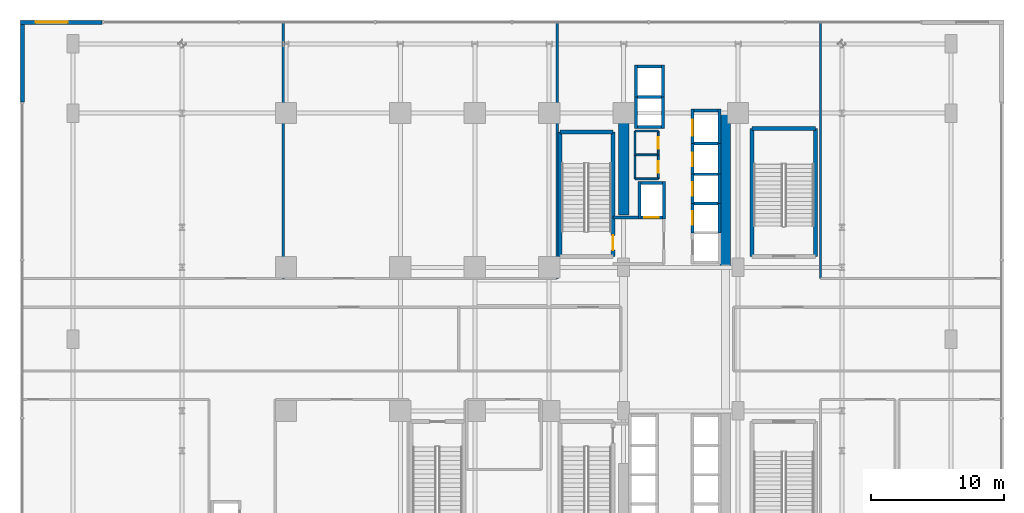
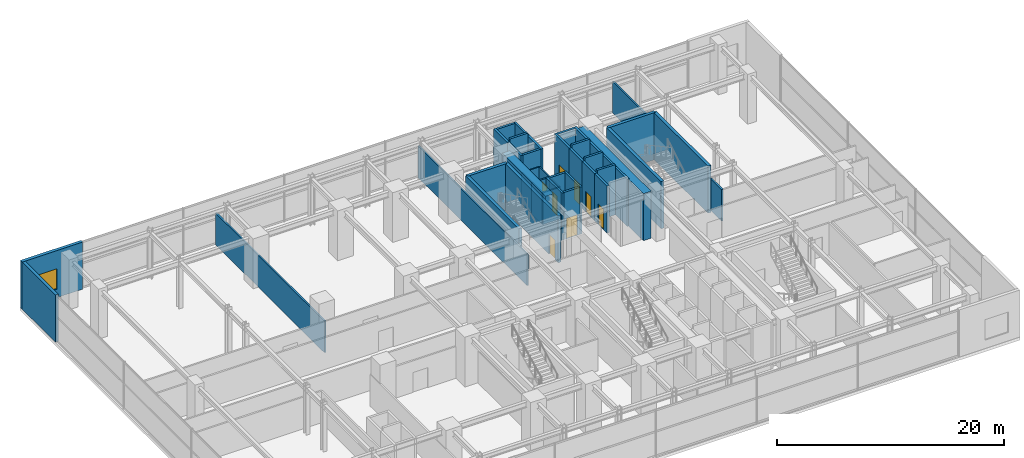
# One storey, part 29 of 32: 44 walls, 8 doors, 1 window, 9 openings.
"""IFC4 building model written with IfcOpenShell, lengths in metres."""

from ifc_helpers import new_model, si_unit, direction, frame, frame_2d, origin, place, context, subcontext, project, spatial, rectangle, extrude, source, transform, mapped, material, layer, layer_set, type_object, element, fill, save


model = new_model("IFC4")

# Units and contexts
model_context = context("Model", 3, precision=1e-05, world=origin(), true_north=direction((0.0, 1.0)))
body_context = subcontext(model_context, "Body", "Model", "MODEL_VIEW")
ifc_project = project(units=[si_unit("LENGTHUNIT", "METRE"), si_unit("AREAUNIT", "SQUARE_METRE"), si_unit("VOLUMEUNIT", "CUBIC_METRE"), si_unit("PLANEANGLEUNIT", "RADIAN"), si_unit("MASSUNIT", "GRAM", prefix="KILO")], contexts=[model_context])

# Site, building, storey
site_placement = place(None, origin())
site = spatial("IfcSite", under=ifc_project, at=site_placement, CompositionType="ELEMENT")
building_placement = place(site_placement, origin())
building = spatial("IfcBuilding", under=site, at=building_placement, Name="Nahalor Promenade Grand Hotel", CompositionType="ELEMENT")
storey_placement = place(building_placement, frame((0.0, 0.0, 10.800048828125)))
storey = spatial("IfcBuildingStorey", under=building, at=storey_placement, Name="L02", CompositionType="ELEMENT", Elevation=10.800048828125)

# Walls
ifc_material_1 = material(Name="Concrete B-70 (C60/75)", Category="concrete")
ifc_layer_1 = layer(ifc_material_1, 0.800048828125)
ifc_layer_set_1 = layer_set([ifc_layer_1], Name="Concrete B-70 (C60/75)")
wall_type_1 = type_object("IfcWallType", Name="Wall-CoreShear-800", PredefinedType="SHEAR", material=ifc_layer_set_1)
shared_shape_1 = source(origin(), body_context, "Body", "SweptSolid", [
    extrude(rectangle(XDim=7.64990234375, YDim=0.800048828125, at=frame_2d((3.824951171875, 0.0))), origin(), (0.0, 0.0, 1.0), 5.06005859375),
])
wall_1_placement = place(storey_placement, frame((8.39990234375, 9.35009765625, 0.0), z_axis=(0.0, 0.0, 1.0), x_axis=(0.0, 1.0, 0.0)))
element("IfcWall", 1, at=wall_1_placement, inside=storey, type_object=wall_type_1, Name="CWALL-L02-NW", PredefinedType="SHEAR", context=body_context, shape_type="MappedRepresentation", body=[
    mapped(shared_shape_1, transform((0.0, 0.0, 0.0), scale=1.0)),
])
shared_shape_2 = source(origin(), body_context, "Body", "SweptSolid", [
    extrude(rectangle(XDim=11.60009765625, YDim=0.800048828125, at=frame_2d((5.800048828125, 0.0))), origin(), (0.0, 0.0, 1.0), 5.06005859375),
])
wall_2_placement = place(storey_placement, frame((16.050048828125, 5.39990234375, 0.0), z_axis=(0.0, 0.0, 1.0), x_axis=(0.0, 1.0, 0.0)))
element("IfcWall", 2, at=wall_2_placement, inside=storey, type_object=wall_type_1, Name="CWALL-L02-NE", PredefinedType="SHEAR", context=body_context, shape_type="MappedRepresentation", body=[
    mapped(shared_shape_2, transform((0.0, 0.0, 0.0), scale=1.0)),
])
ifc_material_2 = material(Name="Concrete B-50 (C40/50)", Category="concrete")
ifc_layer_2 = layer(ifc_material_2, 0.300048828125)
ifc_layer_set_2 = layer_set([ifc_layer_2], Name="Concrete B-50 (C40/50)")
wall_type_2 = type_object("IfcWallType", Name="Wall-ShaftShear-300", PredefinedType="SHEAR", material=ifc_layer_set_2)
shared_shape_3 = source(origin(), body_context, "Body", "SweptSolid", [
    extrude(rectangle(XDim=3.97998046875, YDim=0.300048828125, at=frame_2d((1.989990234375, 0.0))), origin(), (0.0, 0.0, 1.0), 5.06005859375),
])
wall_3_placement = place(storey_placement, frame((3.610107421875, 15.590087890625, 0.0), z_axis=(0.0, 0.0, 1.0), x_axis=(1.0, 0.0, 0.0)))
element("IfcWall", 3, at=wall_3_placement, inside=storey, type_object=wall_type_2, Name="L02 Exit Stair ST1 Shaft Wall N", PredefinedType="SHEAR", context=body_context, shape_type="MappedRepresentation", body=[
    mapped(shared_shape_3, transform((0.0, 0.0, 0.0), scale=1.0)),
])
shared_shape_4 = source(origin(), body_context, "Body", "SweptSolid", [
    extrude(rectangle(XDim=9.380126953125, YDim=0.300048828125, at=frame_2d((4.68994140625, 0.0))), origin(), (0.0, 0.0, 1.0), 5.06005859375),
])
wall_4_placement = place(storey_placement, frame((3.610107421875, 6.2099609375, 0.0), z_axis=(0.0, 0.0, 1.0), x_axis=(0.0, 1.0, 0.0)))
element("IfcWall", 4, at=wall_4_placement, inside=storey, type_object=wall_type_2, Name="L02 Exit Stair ST1 Shaft Wall W", PredefinedType="SHEAR", context=body_context, shape_type="MappedRepresentation", body=[
    mapped(shared_shape_4, transform((0.0, 0.0, 0.0), scale=1.0)),
])

# Wall, opening, door
wall_5_placement = place(storey_placement, frame((7.590087890625, 6.2099609375, 0.0), z_axis=(0.0, 0.0, 1.0), x_axis=(0.0, 1.0, 0.0)))
wall_5 = element("IfcWall", 5, at=wall_5_placement, inside=storey, type_object=wall_type_2, Name="L02 Exit Stair ST1 Shaft Wall E", PredefinedType="SHEAR", context=body_context, shape_type="MappedRepresentation", body=[
    mapped(shared_shape_4, transform((0.0, 0.0, 0.0), scale=1.0)),
])
opening_1_placement = place(wall_5_placement, frame((0.489990234375, 0.0, 0.0)))
opening_1 = element("IfcOpeningElement", 6, at=opening_1_placement, cuts=wall_5, Name="Opening D-ST1", PredefinedType="OPENING", context=body_context, shape_type="SweptSolid", body=[
    extrude(rectangle(XDim=1.10009765625, YDim=2.14990234375, at=frame_2d((0.550048828125, 1.074951171875))), frame((0.0, 0.159912109375, 0.0), z_axis=(0.0, -1.0, 0.0), x_axis=(1.0, 0.0, 0.0)), (0.0, 0.0, 1.0), 0.320068359375),
])
ifc_material_3 = material(Name="Steel S355JR", Category="steel")
door_type_1 = type_object("IfcDoorType", Name="Door-StairFire-1100", OperationType="NOTDEFINED", PredefinedType="DOOR", material=ifc_material_3)
shared_shape_5 = source(origin(), body_context, "Body", "SweptSolid", [
    extrude(rectangle(XDim=1.10009765625, YDim=2.14990234375, at=frame_2d((0.550048828125, 1.074951171875))), frame((0.0, 0.02490234375, 0.0), z_axis=(0.0, -1.0, 0.0), x_axis=(1.0, 0.0, 0.0)), (0.0, 0.0, 1.0), 0.050048828125),
])
door_1_placement = place(opening_1_placement, origin())
door_1 = element("IfcDoor", 7, at=door_1_placement, inside=storey, type_object=door_type_1, Name="DR-STAIR-ST1-L02", OperationType="SINGLE_SWING_LEFT", OverallHeight=2.14990234375, OverallWidth=1.10009765625, PredefinedType="DOOR", context=body_context, shape_type="MappedRepresentation", body=[
    mapped(shared_shape_5, transform((0.0, 0.0, 0.0), scale=1.0)),
])
fill(opening_1, door_1)

# Walls
shared_shape_6 = source(origin(), body_context, "Body", "SweptSolid", [
    extrude(rectangle(XDim=4.780029296875, YDim=0.300048828125, at=frame_2d((2.39013671875, 0.0))), origin(), (0.0, 0.0, 1.0), 5.06005859375),
])
wall_6_placement = place(storey_placement, frame((18.06005859375, 15.840087890625, 0.0), z_axis=(0.0, 0.0, 1.0), x_axis=(1.0, 0.0, 0.0)))
element("IfcWall", 8, at=wall_6_placement, inside=storey, type_object=wall_type_2, Name="L02 Exit Stair ST4 Shaft Wall N", PredefinedType="SHEAR", context=body_context, shape_type="MappedRepresentation", body=[
    mapped(shared_shape_6, transform((0.0, 0.0, 0.0), scale=1.0)),
])
shared_shape_7 = source(origin(), body_context, "Body", "SweptSolid", [
    extrude(rectangle(XDim=9.630126953125, YDim=0.300048828125, at=frame_2d((4.81494140625, 0.0))), origin(), (0.0, 0.0, 1.0), 5.06005859375),
])
for number, where, z_axis, x_axis, name in (
    (9, (18.06005859375, 6.2099609375, 0.0), (0.0, 0.0, 1.0), (0.0, 1.0, 0.0), "L02 Exit Stair ST4 Shaft Wall W"),
    (10, (22.840087890625, 6.2099609375, 0.0), (0.0, 0.0, 1.0), (0.0, 1.0, 0.0), "L02 Exit Stair ST4 Shaft Wall E"),
):
    element("IfcWall", number, at=place(storey_placement, frame(where, z_axis=z_axis, x_axis=x_axis)), inside=storey, type_object=wall_type_2, Name=name, PredefinedType="SHEAR", context=body_context, shape_type="MappedRepresentation", body=[
        mapped(shared_shape_7, transform((0.0, 0.0, 0.0), scale=1.0)),
    ])
ifc_layer_3 = layer(ifc_material_2, 0.219970703125)
ifc_layer_set_3 = layer_set([ifc_layer_3], Name="Concrete B-50 (C40/50)")
wall_type_3 = type_object("IfcWallType", Name="Wall-LiftShaft-220", PredefinedType="SHEAR", material=ifc_layer_set_3)
shared_shape_8 = source(origin(), body_context, "Body", "SweptSolid", [
    extrude(rectangle(XDim=1.820068359375, YDim=0.219970703125, at=frame_2d((0.91015625, 0.0))), origin(), (0.0, 0.0, 1.0), 5.39990234375),
])
for number, where, z_axis, x_axis, name in (
    (11, (13.68994140625, 10.199951171875, 0.0), (0.0, 0.0, 1.0), (1.0, 0.0, 0.0), "L02 Lift PL2 Hoistway Wall N"),
    (12, (13.68994140625, 12.39990234375, 0.0), (0.0, 0.0, 1.0), (1.0, 0.0, 0.0), "L02 Lift PL3 Hoistway Wall N"),
    (13, (13.68994140625, 14.699951171875, 0.0), (0.0, 0.0, 1.0), (1.0, 0.0, 0.0), "L02 Lift PL4 Hoistway Wall N"),
    (14, (9.43994140625, 18.22509765625, 0.0), (0.0, 0.0, 1.0), (1.0, 0.0, 0.0), "L02 Lift OB1 Hoistway Wall N"),
):
    element("IfcWall", number, at=place(storey_placement, frame(where, z_axis=z_axis, x_axis=x_axis)), inside=storey, type_object=wall_type_3, Name=name, PredefinedType="SHEAR", context=body_context, shape_type="MappedRepresentation", body=[
        mapped(shared_shape_8, transform((0.0, 0.0, 0.0), scale=1.0)),
    ])
shared_shape_9 = source(origin(), body_context, "Body", "SweptSolid", [
    extrude(rectangle(XDim=1.820068359375, YDim=0.219970703125, at=frame_2d((0.91015625, 0.0))), origin(), (0.0, 0.0, 1.0), 5.06005859375),
])
for number, where, z_axis, x_axis, name in (
    (15, (9.43994140625, 15.949951171875, 0.0), (0.0, 0.0, 1.0), (1.0, 0.0, 0.0), "L02 Lift OB1 Hoistway Wall S"),
    (16, (9.43994140625, 20.5, 0.0), (0.0, 0.0, 1.0), (1.0, 0.0, 0.0), "L02 Lift OB2 Hoistway Wall N"),
    (17, (13.68994140625, 17.199951171875, 0.0), (0.0, 0.0, 1.0), (1.0, 0.0, 0.0), "L02 Lift SV1 Hoistway Wall N"),
):
    element("IfcWall", number, at=place(storey_placement, frame(where, z_axis=z_axis, x_axis=x_axis)), inside=storey, type_object=wall_type_3, Name=name, PredefinedType="SHEAR", context=body_context, shape_type="MappedRepresentation", body=[
        mapped(shared_shape_9, transform((0.0, 0.0, 0.0), scale=1.0)),
    ])

# Wall, opening, door
shared_shape_10 = source(origin(), body_context, "Body", "SweptSolid", [
    extrude(rectangle(XDim=2.199951171875, YDim=0.219970703125, at=frame_2d((1.10009765625, 0.0))), origin(), (0.0, 0.0, 1.0), 5.06005859375),
])
wall_7_placement = place(storey_placement, frame((13.580078125, 8.0, 0.0), z_axis=(0.0, 0.0, 1.0), x_axis=(0.0, 1.0, 0.0)))
wall_7 = element("IfcWall", 18, at=wall_7_placement, inside=storey, type_object=wall_type_3, Name="L02 Lift PL2 Hoistway Wall W", PredefinedType="SHEAR", context=body_context, shape_type="MappedRepresentation", body=[
    mapped(shared_shape_10, transform((0.0, 0.0, 0.0), scale=1.0)),
])
opening_2_placement = place(wall_7_placement, frame((0.60009765625, 0.0, 0.0)))
opening_2 = element("IfcOpeningElement", 19, at=opening_2_placement, cuts=wall_7, Name="Opening LD-01", PredefinedType="OPENING", context=body_context, shape_type="SweptSolid", body=[
    extrude(rectangle(XDim=1.0, YDim=2.199951171875, at=frame_2d((0.5, 1.10009765625))), frame((0.0, 0.119873046875, 0.0), z_axis=(0.0, -1.0, 0.0), x_axis=(1.0, 0.0, 0.0)), (0.0, 0.0, 1.0), 0.239990234375),
])
door_type_2 = type_object("IfcDoorType", Name="Door-LiftLanding-1000", OperationType="DOUBLE_DOOR_SLIDING", PredefinedType="DOOR", material=ifc_material_3)
shared_shape_11 = source(origin(), body_context, "Body", "SweptSolid", [
    extrude(rectangle(XDim=1.0, YDim=2.199951171875, at=frame_2d((0.5, 1.10009765625))), frame((0.0, 0.02490234375, 0.0), z_axis=(0.0, -1.0, 0.0), x_axis=(1.0, 0.0, 0.0)), (0.0, 0.0, 1.0), 0.050048828125),
])
door_2_placement = place(opening_2_placement, origin())
door_2 = element("IfcDoor", 20, at=door_2_placement, inside=storey, type_object=door_type_2, Name="DR-LIFT-PL2-L02", OperationType="DOUBLE_DOOR_SLIDING", OverallHeight=2.199951171875, OverallWidth=1.0, PredefinedType="DOOR", context=body_context, shape_type="MappedRepresentation", body=[
    mapped(shared_shape_11, transform((0.0, 0.0, 0.0), scale=1.0)),
])
fill(opening_2, door_2)

# Wall
wall_8_placement = place(storey_placement, frame((15.6201171875, 8.0, 0.0), z_axis=(0.0, 0.0, 1.0), x_axis=(0.0, 1.0, 0.0)))
element("IfcWall", 21, at=wall_8_placement, inside=storey, type_object=wall_type_3, Name="L02 Lift PL2 Hoistway Wall E", PredefinedType="SHEAR", context=body_context, shape_type="MappedRepresentation", body=[
    mapped(shared_shape_10, transform((0.0, 0.0, 0.0), scale=1.0)),
])

# Wall, opening, door
wall_9_placement = place(storey_placement, frame((13.580078125, 10.199951171875, 0.0), z_axis=(0.0, 0.0, 1.0), x_axis=(0.0, 1.0, 0.0)))
wall_9 = element("IfcWall", 22, at=wall_9_placement, inside=storey, type_object=wall_type_3, Name="L02 Lift PL3 Hoistway Wall W", PredefinedType="SHEAR", context=body_context, shape_type="MappedRepresentation", body=[
    mapped(shared_shape_10, transform((0.0, 0.0, 0.0), scale=1.0)),
])
opening_3_placement = place(wall_9_placement, frame((0.60009765625, 0.0, 0.0)))
opening_3 = element("IfcOpeningElement", 23, at=opening_3_placement, cuts=wall_9, Name="Opening LD-01", PredefinedType="OPENING", context=body_context, shape_type="SweptSolid", body=[
    extrude(rectangle(XDim=1.0, YDim=2.199951171875, at=frame_2d((0.5, 1.10009765625))), frame((0.0, 0.119873046875, 0.0), z_axis=(0.0, -1.0, 0.0), x_axis=(1.0, 0.0, 0.0)), (0.0, 0.0, 1.0), 0.239990234375),
])
door_3_placement = place(opening_3_placement, origin())
door_3 = element("IfcDoor", 24, at=door_3_placement, inside=storey, type_object=door_type_2, Name="DR-LIFT-PL3-L02", OperationType="DOUBLE_DOOR_SLIDING", OverallHeight=2.199951171875, OverallWidth=1.0, PredefinedType="DOOR", context=body_context, shape_type="MappedRepresentation", body=[
    mapped(shared_shape_11, transform((0.0, 0.0, 0.0), scale=1.0)),
])
fill(opening_3, door_3)

# Wall
wall_10_placement = place(storey_placement, frame((15.6201171875, 10.199951171875, 0.0), z_axis=(0.0, 0.0, 1.0), x_axis=(0.0, 1.0, 0.0)))
element("IfcWall", 25, at=wall_10_placement, inside=storey, type_object=wall_type_3, Name="L02 Lift PL3 Hoistway Wall E", PredefinedType="SHEAR", context=body_context, shape_type="MappedRepresentation", body=[
    mapped(shared_shape_10, transform((0.0, 0.0, 0.0), scale=1.0)),
])

# Wall, opening, door
shared_shape_12 = source(origin(), body_context, "Body", "SweptSolid", [
    extrude(rectangle(XDim=2.300048828125, YDim=0.219970703125, at=frame_2d((1.14990234375, 0.0))), origin(), (0.0, 0.0, 1.0), 5.06005859375),
])
wall_11_placement = place(storey_placement, frame((13.580078125, 12.39990234375, 0.0), z_axis=(0.0, 0.0, 1.0), x_axis=(0.0, 1.0, 0.0)))
wall_11 = element("IfcWall", 26, at=wall_11_placement, inside=storey, type_object=wall_type_3, Name="L02 Lift PL4 Hoistway Wall W", PredefinedType="SHEAR", context=body_context, shape_type="MappedRepresentation", body=[
    mapped(shared_shape_12, transform((0.0, 0.0, 0.0), scale=1.0)),
])
opening_4_placement = place(wall_11_placement, frame((0.60009765625, 0.0, 0.0)))
opening_4 = element("IfcOpeningElement", 27, at=opening_4_placement, cuts=wall_11, Name="Opening LD-01", PredefinedType="OPENING", context=body_context, shape_type="SweptSolid", body=[
    extrude(rectangle(XDim=1.0, YDim=2.199951171875, at=frame_2d((0.5, 1.10009765625))), frame((0.0, 0.119873046875, 0.0), z_axis=(0.0, -1.0, 0.0), x_axis=(1.0, 0.0, 0.0)), (0.0, 0.0, 1.0), 0.239990234375),
])
door_4_placement = place(opening_4_placement, origin())
door_4 = element("IfcDoor", 28, at=door_4_placement, inside=storey, type_object=door_type_2, Name="DR-LIFT-PL4-L02", OperationType="DOUBLE_DOOR_SLIDING", OverallHeight=2.199951171875, OverallWidth=1.0, PredefinedType="DOOR", context=body_context, shape_type="MappedRepresentation", body=[
    mapped(shared_shape_11, transform((0.0, 0.0, 0.0), scale=1.0)),
])
fill(opening_4, door_4)

# Walls
wall_12_placement = place(storey_placement, frame((15.6201171875, 12.39990234375, 0.0), z_axis=(0.0, 0.0, 1.0), x_axis=(0.0, 1.0, 0.0)))
element("IfcWall", 29, at=wall_12_placement, inside=storey, type_object=wall_type_3, Name="L02 Lift PL4 Hoistway Wall E", PredefinedType="SHEAR", context=body_context, shape_type="MappedRepresentation", body=[
    mapped(shared_shape_12, transform((0.0, 0.0, 0.0), scale=1.0)),
])
shared_shape_13 = source(origin(), body_context, "Body", "SweptSolid", [
    extrude(rectangle(XDim=2.385009765625, YDim=0.219970703125, at=frame_2d((1.1923828125, 0.0))), origin(), (0.0, 0.0, 1.0), 5.06005859375),
])
for number, where, z_axis, x_axis, name in (
    (30, (9.330078125, 15.840087890625, 0.0), (0.0, 0.0, 1.0), (0.0, 1.0, 0.0), "L02 Lift OB1 Hoistway Wall W"),
    (31, (11.3701171875, 15.840087890625, 0.0), (0.0, 0.0, 1.0), (0.0, 1.0, 0.0), "L02 Lift OB1 Hoistway Wall E"),
    (32, (9.330078125, 18.22509765625, 0.0), (0.0, 0.0, 1.0), (0.0, 1.0, 0.0), "L02 Lift OB2 Hoistway Wall W"),
    (33, (11.3701171875, 18.22509765625, 0.0), (0.0, 0.0, 1.0), (0.0, 1.0, 0.0), "L02 Lift OB2 Hoistway Wall E"),
):
    element("IfcWall", number, at=place(storey_placement, frame(where, z_axis=z_axis, x_axis=x_axis)), inside=storey, type_object=wall_type_3, Name=name, PredefinedType="SHEAR", context=body_context, shape_type="MappedRepresentation", body=[
        mapped(shared_shape_13, transform((0.0, 0.0, 0.0), scale=1.0)),
    ])
shared_shape_14 = source(origin(), body_context, "Body", "SweptSolid", [
    extrude(rectangle(XDim=2.820068359375, YDim=0.219970703125, at=frame_2d((1.41015625, 0.0))), origin(), (0.0, 0.0, 1.0), 5.06005859375),
])
for number, where, z_axis, x_axis, name in (
    (34, (9.580078125, 9.0400390625, 0.0), (0.0, 0.0, 1.0), (0.0, 1.0, 0.0), "L02 Lift FL1 Hoistway Wall W"),
    (35, (11.419921875, 9.0400390625, 0.0), (0.0, 0.0, 1.0), (0.0, 1.0, 0.0), "L02 Lift FL1 Hoistway Wall E"),
):
    element("IfcWall", number, at=place(storey_placement, frame(where, z_axis=z_axis, x_axis=x_axis)), inside=storey, type_object=wall_type_3, Name=name, PredefinedType="SHEAR", context=body_context, shape_type="MappedRepresentation", body=[
        mapped(shared_shape_14, transform((0.0, 0.0, 0.0), scale=1.0)),
    ])

# Wall, opening, door
shared_shape_15 = source(origin(), body_context, "Body", "SweptSolid", [
    extrude(rectangle(XDim=1.6201171875, YDim=0.219970703125, at=frame_2d((0.81005859375, 0.0))), origin(), (0.0, 0.0, 1.0), 5.06005859375),
])
wall_13_placement = place(storey_placement, frame((9.68994140625, 9.14990234375, 0.0), z_axis=(0.0, 0.0, 1.0), x_axis=(1.0, 0.0, 0.0)))
wall_13 = element("IfcWall", 36, at=wall_13_placement, inside=storey, type_object=wall_type_3, Name="L02 Lift FL1 Hoistway Wall S", PredefinedType="SHEAR", context=body_context, shape_type="MappedRepresentation", body=[
    mapped(shared_shape_15, transform((0.0, 0.0, 0.0), scale=1.0)),
])
opening_5_placement = place(wall_13_placement, frame((0.260009765625, 0.0, 0.0)))
opening_5 = element("IfcOpeningElement", 37, at=opening_5_placement, cuts=wall_13, Name="Opening LD-02", PredefinedType="OPENING", context=body_context, shape_type="SweptSolid", body=[
    extrude(rectangle(XDim=1.10009765625, YDim=2.199951171875, at=frame_2d((0.550048828125, 1.10009765625))), frame((0.0, 0.119873046875, 0.0), z_axis=(0.0, -1.0, 0.0), x_axis=(1.0, 0.0, 0.0)), (0.0, 0.0, 1.0), 0.239990234375),
])
door_type_3 = type_object("IfcDoorType", Name="Door-LiftFF-1100", OperationType="DOUBLE_DOOR_SLIDING", PredefinedType="DOOR", material=ifc_material_3)
shared_shape_16 = source(origin(), body_context, "Body", "SweptSolid", [
    extrude(rectangle(XDim=1.10009765625, YDim=2.199951171875, at=frame_2d((0.550048828125, 1.10009765625))), frame((0.0, 0.02490234375, 0.0), z_axis=(0.0, -1.0, 0.0), x_axis=(1.0, 0.0, 0.0)), (0.0, 0.0, 1.0), 0.050048828125),
])
door_5_placement = place(opening_5_placement, frame((1.10009765625, 0.0, 0.0), z_axis=(0.0, 0.0, 1.0), x_axis=(-1.0, 0.0, 0.0)))
door_5 = element("IfcDoor", 38, at=door_5_placement, inside=storey, type_object=door_type_3, Name="DR-LIFT-FL1-L02", OperationType="DOUBLE_DOOR_SLIDING", OverallHeight=2.199951171875, OverallWidth=1.10009765625, PredefinedType="DOOR", context=body_context, shape_type="MappedRepresentation", body=[
    mapped(shared_shape_16, transform((0.0, 0.0, 0.0), scale=1.0)),
])
fill(opening_5, door_5)

# Wall
wall_14_placement = place(storey_placement, frame((9.68994140625, 11.75, 0.0), z_axis=(0.0, 0.0, 1.0), x_axis=(1.0, 0.0, 0.0)))
element("IfcWall", 39, at=wall_14_placement, inside=storey, type_object=wall_type_3, Name="L02 Lift FL1 Hoistway Wall N", PredefinedType="SHEAR", context=body_context, shape_type="MappedRepresentation", body=[
    mapped(shared_shape_15, transform((0.0, 0.0, 0.0), scale=1.0)),
])

# Wall, opening, door
shared_shape_17 = source(origin(), body_context, "Body", "SweptSolid", [
    extrude(rectangle(XDim=2.610107421875, YDim=0.219970703125, at=frame_2d((1.30517578125, 0.0))), origin(), (0.0, 0.0, 1.0), 5.06005859375),
])
wall_15_placement = place(storey_placement, frame((13.580078125, 14.699951171875, 0.0), z_axis=(0.0, 0.0, 1.0), x_axis=(0.0, 1.0, 0.0)))
wall_15 = element("IfcWall", 40, at=wall_15_placement, inside=storey, type_object=wall_type_3, Name="L02 Lift SV1 Hoistway Wall W", PredefinedType="SHEAR", context=body_context, shape_type="MappedRepresentation", body=[
    mapped(shared_shape_17, transform((0.0, 0.0, 0.0), scale=1.0)),
])
opening_6_placement = place(wall_15_placement, frame((0.60009765625, 0.0, 0.0)))
opening_6 = element("IfcOpeningElement", 41, at=opening_6_placement, cuts=wall_15, Name="Opening LD-03", PredefinedType="OPENING", context=body_context, shape_type="SweptSolid", body=[
    extrude(rectangle(XDim=1.199951171875, YDim=2.199951171875, at=frame_2d((0.60009765625, 1.10009765625))), frame((0.0, 0.119873046875, 0.0), z_axis=(0.0, -1.0, 0.0), x_axis=(1.0, 0.0, 0.0)), (0.0, 0.0, 1.0), 0.239990234375),
])
door_type_4 = type_object("IfcDoorType", Name="Door-LiftService-1200", OperationType="DOUBLE_DOOR_SLIDING", PredefinedType="DOOR", material=ifc_material_3)
shared_shape_18 = source(origin(), body_context, "Body", "SweptSolid", [
    extrude(rectangle(XDim=1.199951171875, YDim=2.199951171875, at=frame_2d((0.60009765625, 1.10009765625))), frame((0.0, 0.02490234375, 0.0), z_axis=(0.0, -1.0, 0.0), x_axis=(1.0, 0.0, 0.0)), (0.0, 0.0, 1.0), 0.050048828125),
])
door_6_placement = place(opening_6_placement, origin())
door_6 = element("IfcDoor", 42, at=door_6_placement, inside=storey, type_object=door_type_4, Name="DR-LIFT-SV1-L02", OperationType="DOUBLE_DOOR_SLIDING", OverallHeight=2.199951171875, OverallWidth=1.199951171875, PredefinedType="DOOR", context=body_context, shape_type="MappedRepresentation", body=[
    mapped(shared_shape_18, transform((0.0, 0.0, 0.0), scale=1.0)),
])
fill(opening_6, door_6)

# Wall
wall_16_placement = place(storey_placement, frame((15.6201171875, 14.699951171875, 0.0), z_axis=(0.0, 0.0, 1.0), x_axis=(0.0, 1.0, 0.0)))
element("IfcWall", 43, at=wall_16_placement, inside=storey, type_object=wall_type_3, Name="L02 Lift SV1 Hoistway Wall E", PredefinedType="SHEAR", context=body_context, shape_type="MappedRepresentation", body=[
    mapped(shared_shape_17, transform((0.0, 0.0, 0.0), scale=1.0)),
])

# Wall, opening, window
ifc_material_4 = material(Name="Concrete B-40 (C32/40)", Category="concrete")
ifc_layer_4 = layer(ifc_material_4, 0.320068359375)
ifc_layer_set_4 = layer_set([ifc_layer_4], Name="Concrete B-40 (C32/40)")
wall_type_4 = type_object("IfcWallType", Name="Wall-LimestonePier-320", PredefinedType="STANDARD", material=ifc_layer_set_4)
shared_shape_19 = source(origin(), body_context, "Body", "SweptSolid", [
    extrude(rectangle(XDim=6.159912109375, YDim=0.320068359375, at=frame_2d((3.080078125, 0.0))), origin(), (0.0, 0.0, 1.0), 5.06005859375),
])
wall_17_placement = place(storey_placement, frame((-36.97998046875, 23.820068359375, 0.0), z_axis=(0.0, 0.0, 1.0), x_axis=(1.0, 0.0, 0.0)))
wall_17 = element("IfcWall", 44, at=wall_17_placement, inside=storey, type_object=wall_type_4, Name="W-L02-CRN-NW-X", PredefinedType="STANDARD", context=body_context, shape_type="MappedRepresentation", body=[
    mapped(shared_shape_19, transform((0.0, 0.0, 0.0), scale=1.0)),
])
opening_7_placement = place(wall_17_placement, frame((1.159912109375, 0.0, 0.89990234375)))
opening_7 = element("IfcOpeningElement", 45, at=opening_7_placement, cuts=wall_17, Name="Opening WN-02", PredefinedType="OPENING", context=body_context, shape_type="SweptSolid", body=[
    extrude(rectangle(XDim=2.39990234375, YDim=2.199951171875, at=frame_2d((1.199951171875, 1.10009765625))), frame((0.0, 0.169921875, 0.0), z_axis=(0.0, -1.0, 0.0), x_axis=(1.0, 0.0, 0.0)), (0.0, 0.0, 1.0), 0.340087890625),
])
ifc_material_5 = material(Name="Low-E Laminated Solar Glass", Category="glass")
window_type = type_object("IfcWindowType", Name="Win-PodiumArch-2400x2200", PartitioningType="SINGLE_PANEL", PredefinedType="WINDOW", material=ifc_material_5)
shared_shape_20 = source(origin(), body_context, "Body", "SweptSolid", [
    extrude(rectangle(XDim=2.39990234375, YDim=2.199951171875, at=frame_2d((1.199951171875, 1.10009765625))), frame((0.0, 0.030029296875, 0.0), z_axis=(0.0, -1.0, 0.0), x_axis=(1.0, 0.0, 0.0)), (0.0, 0.0, 1.0), 0.06005859375),
])
window_placement = place(opening_7_placement, origin())
window = element("IfcWindow", 46, at=window_placement, inside=storey, type_object=window_type, Name="WN-L02-NW-X", OverallHeight=2.199951171875, OverallWidth=2.39990234375, PartitioningType="SINGLE_PANEL", PredefinedType="WINDOW", context=body_context, shape_type="MappedRepresentation", body=[
    mapped(shared_shape_20, transform((0.0, 0.0, 0.0), scale=1.0)),
])
fill(opening_7, window)

# Walls
shared_shape_21 = source(origin(), body_context, "Body", "SweptSolid", [
    extrude(rectangle(XDim=5.83984375, YDim=0.320068359375, at=frame_2d((2.919921875, 0.0))), origin(), (0.0, 0.0, 1.0), 5.06005859375),
])
wall_18_placement = place(storey_placement, frame((-36.820068359375, 17.820068359375, 0.0), z_axis=(0.0, 0.0, 1.0), x_axis=(0.0, 1.0, 0.0)))
element("IfcWall", 47, at=wall_18_placement, inside=storey, type_object=wall_type_4, Name="W-L02-CRN-NW-Y", PredefinedType="STANDARD", context=body_context, shape_type="MappedRepresentation", body=[
    mapped(shared_shape_21, transform((0.0, 0.0, 0.0), scale=1.0)),
])
ifc_layer_5 = layer(ifc_material_4, 0.199951171875)
ifc_layer_set_5 = layer_set([ifc_layer_5], Name="Concrete B-40 (C32/40)")
wall_type_5 = type_object("IfcWallType", Name="Wall-PartFire-200", PredefinedType="PARTITIONING", material=ifc_layer_set_5)
shared_shape_22 = source(origin(), body_context, "Body", "SweptSolid", [
    extrude(rectangle(XDim=1.89990234375, YDim=0.199951171875, at=frame_2d((0.949951171875, 0.0))), origin(), (0.0, 0.0, 1.0), 3.39990234375),
])
wall_19_placement = place(storey_placement, frame((7.60009765625, 9.14990234375, 0.0), z_axis=(0.0, 0.0, 1.0), x_axis=(1.0, 0.0, 0.0)))
element("IfcWall", 48, at=wall_19_placement, inside=storey, type_object=wall_type_5, Name="W-L02-FF1-N", PredefinedType="PARTITIONING", context=body_context, shape_type="MappedRepresentation", body=[
    mapped(shared_shape_22, transform((0.0, 0.0, 0.0), scale=1.0)),
])
ifc_material_6 = material(Name="Acoustic Mineral Gypsum", Category="gypsum")
ifc_layer_6 = layer(ifc_material_6, 0.159912109375)
ifc_layer_set_6 = layer_set([ifc_layer_6], Name="Acoustic Mineral Gypsum")
wall_type_6 = type_object("IfcWallType", Name="Wall-PartCorridor-160", PredefinedType="PARTITIONING", material=ifc_layer_set_6)
shared_shape_23 = source(origin(), body_context, "Body", "SweptSolid", [
    extrude(rectangle(XDim=19.2099609375, YDim=0.159912109375, at=frame_2d((9.60498046875, 0.0))), origin(), (0.0, 0.0, 1.0), 3.39990234375),
])
for number, where, z_axis, x_axis, name in (
    (49, (-17.199951171875, 4.550048828125, 0.0), (0.0, 0.0, 1.0), (0.0, 1.0, 0.0), "W-L02-PR01-E"),
    (50, (3.39990234375, 4.550048828125, 0.0), (0.0, 0.0, 1.0), (0.0, 1.0, 0.0), "W-L02-PR02-E"),
    (51, (23.199951171875, 4.550048828125, 0.0), (0.0, 0.0, 1.0), (0.0, 1.0, 0.0), "W-L02-PR03-W"),
):
    element("IfcWall", number, at=place(storey_placement, frame(where, z_axis=z_axis, x_axis=x_axis)), inside=storey, type_object=wall_type_6, Name=name, PredefinedType="PARTITIONING", context=body_context, shape_type="MappedRepresentation", body=[
        mapped(shared_shape_23, transform((0.0, 0.0, 0.0), scale=1.0)),
    ])
ifc_layer_7 = layer(ifc_material_6, 0.14990234375)
ifc_layer_set_7 = layer_set([ifc_layer_7], Name="Acoustic Mineral Gypsum")
wall_type_7 = type_object("IfcWallType", Name="Wall-PartService-150", PredefinedType="PARTITIONING", material=ifc_layer_set_7)
shared_shape_24 = source(origin(), body_context, "Body", "SweptSolid", [
    extrude(rectangle(XDim=1.75, YDim=0.14990234375, at=frame_2d((0.875, 0.0))), origin(), (0.0, 0.0, 1.0), 3.39990234375),
])
for number, where, z_axis, x_axis, name in (
    (52, (9.25, 12.050048828125, 0.0), (0.0, 0.0, 1.0), (1.0, 0.0, 0.0), "W-L02-CK2A-S"),
    (53, (9.25, 13.85009765625, 0.0), (0.0, 0.0, 1.0), (1.0, 0.0, 0.0), "W-L02-CK2A-N"),
):
    element("IfcWall", number, at=place(storey_placement, frame(where, z_axis=z_axis, x_axis=x_axis)), inside=storey, type_object=wall_type_7, Name=name, PredefinedType="PARTITIONING", context=body_context, shape_type="MappedRepresentation", body=[
        mapped(shared_shape_24, transform((0.0, 0.0, 0.0), scale=1.0)),
    ])
shared_shape_25 = source(origin(), body_context, "Body", "SweptSolid", [
    extrude(rectangle(XDim=1.800048828125, YDim=0.14990234375, at=frame_2d((0.89990234375, 0.0))), origin(), (0.0, 0.0, 1.0), 3.39990234375),
])
wall_20_placement = place(storey_placement, frame((9.25, 12.050048828125, 0.0), z_axis=(0.0, 0.0, 1.0), x_axis=(0.0, 1.0, 0.0)))
element("IfcWall", 54, at=wall_20_placement, inside=storey, type_object=wall_type_7, Name="W-L02-CK2A-W", PredefinedType="PARTITIONING", context=body_context, shape_type="MappedRepresentation", body=[
    mapped(shared_shape_25, transform((0.0, 0.0, 0.0), scale=1.0)),
])

# Wall, opening, door
wall_21_placement = place(storey_placement, frame((11.0, 12.050048828125, 0.0), z_axis=(0.0, 0.0, 1.0), x_axis=(0.0, 1.0, 0.0)))
wall_21 = element("IfcWall", 55, at=wall_21_placement, inside=storey, type_object=wall_type_7, Name="W-L02-CK2A-E", PredefinedType="PARTITIONING", context=body_context, shape_type="MappedRepresentation", body=[
    mapped(shared_shape_25, transform((0.0, 0.0, 0.0), scale=1.0)),
])
opening_8_placement = place(wall_21_placement, frame((0.4599609375, 0.0, 0.0)))
opening_8 = element("IfcOpeningElement", 56, at=opening_8_placement, cuts=wall_21, Name="Opening D-03", PredefinedType="OPENING", context=body_context, shape_type="SweptSolid", body=[
    extrude(rectangle(XDim=0.8798828125, YDim=2.10009765625, at=frame_2d((0.43994140625, 1.050048828125))), frame((0.0, 0.0849609375, 0.0), z_axis=(0.0, -1.0, 0.0), x_axis=(1.0, 0.0, 0.0)), (0.0, 0.0, 1.0), 0.169921875),
])
ifc_material_7 = material(Name="Fire-Rated Timber Composite", Category="wood")
door_type_5 = type_object("IfcDoorType", Name="Door-BathSwing-880", OperationType="NOTDEFINED", PredefinedType="DOOR", material=ifc_material_7)
shared_shape_26 = source(origin(), body_context, "Body", "SweptSolid", [
    extrude(rectangle(XDim=0.8798828125, YDim=2.10009765625, at=frame_2d((0.43994140625, 1.050048828125))), frame((0.0, 0.02490234375, 0.0), z_axis=(0.0, -1.0, 0.0), x_axis=(1.0, 0.0, 0.0)), (0.0, 0.0, 1.0), 0.050048828125),
])
door_7_placement = place(opening_8_placement, origin())
door_7 = element("IfcDoor", 57, at=door_7_placement, inside=storey, type_object=door_type_5, Name="DR-L02-CK2A", OperationType="SINGLE_SWING_RIGHT", OverallHeight=2.10009765625, OverallWidth=0.8798828125, PredefinedType="DOOR", context=body_context, shape_type="MappedRepresentation", body=[
    mapped(shared_shape_26, transform((0.0, 0.0, 0.0), scale=1.0)),
])
fill(opening_8, door_7)

# Walls
ifc_layer_8 = layer(ifc_material_6, 0.1201171875)
ifc_layer_set_8 = layer_set([ifc_layer_8], Name="Acoustic Mineral Gypsum")
wall_type_8 = type_object("IfcWallType", Name="Wall-PartBath-120", PredefinedType="PARTITIONING", material=ifc_layer_set_8)
shared_shape_27 = source(origin(), body_context, "Body", "SweptSolid", [
    extrude(rectangle(XDim=1.75, YDim=0.1201171875, at=frame_2d((0.875, 0.0))), origin(), (0.0, 0.0, 1.0), 3.39990234375),
])
wall_22_placement = place(storey_placement, frame((9.25, 15.64990234375, 0.0), z_axis=(0.0, 0.0, 1.0), x_axis=(1.0, 0.0, 0.0)))
element("IfcWall", 58, at=wall_22_placement, inside=storey, type_object=wall_type_8, Name="W-L02-CK2B-N", PredefinedType="PARTITIONING", context=body_context, shape_type="MappedRepresentation", body=[
    mapped(shared_shape_27, transform((0.0, 0.0, 0.0), scale=1.0)),
])
shared_shape_28 = source(origin(), body_context, "Body", "SweptSolid", [
    extrude(rectangle(XDim=1.7998046875, YDim=0.1201171875, at=frame_2d((0.89990234375, 0.0))), origin(), (0.0, 0.0, 1.0), 3.39990234375),
])
wall_23_placement = place(storey_placement, frame((9.25, 13.85009765625, 0.0), z_axis=(0.0, 0.0, 1.0), x_axis=(0.0, 1.0, 0.0)))
element("IfcWall", 59, at=wall_23_placement, inside=storey, type_object=wall_type_8, Name="W-L02-CK2B-W", PredefinedType="PARTITIONING", context=body_context, shape_type="MappedRepresentation", body=[
    mapped(shared_shape_28, transform((0.0, 0.0, 0.0), scale=1.0)),
])

# Wall, opening, door
wall_24_placement = place(storey_placement, frame((11.0, 13.85009765625, 0.0), z_axis=(0.0, 0.0, 1.0), x_axis=(0.0, 1.0, 0.0)))
wall_24 = element("IfcWall", 60, at=wall_24_placement, inside=storey, type_object=wall_type_8, Name="W-L02-CK2B-E", PredefinedType="PARTITIONING", context=body_context, shape_type="MappedRepresentation", body=[
    mapped(shared_shape_28, transform((0.0, 0.0, 0.0), scale=1.0)),
])
opening_9_placement = place(wall_24_placement, frame((0.4599609375, 0.0, 0.0)))
opening_9 = element("IfcOpeningElement", 61, at=opening_9_placement, cuts=wall_24, Name="Opening D-03", PredefinedType="OPENING", context=body_context, shape_type="SweptSolid", body=[
    extrude(rectangle(XDim=0.8798828125, YDim=2.10009765625, at=frame_2d((0.43994140625, 1.050048828125))), frame((0.0, 0.070068359375, 0.0), z_axis=(0.0, -1.0, 0.0), x_axis=(1.0, 0.0, 0.0)), (0.0, 0.0, 1.0), 0.14013671875),
])
door_8_placement = place(opening_9_placement, origin())
door_8 = element("IfcDoor", 62, at=door_8_placement, inside=storey, type_object=door_type_5, Name="DR-L02-CK2B", OperationType="SINGLE_SWING_LEFT", OverallHeight=2.10009765625, OverallWidth=0.8798828125, PredefinedType="DOOR", context=body_context, shape_type="MappedRepresentation", body=[
    mapped(shared_shape_26, transform((0.0, 0.0, 0.0), scale=1.0)),
])
fill(opening_9, door_8)

save(model, "model.ifc")
